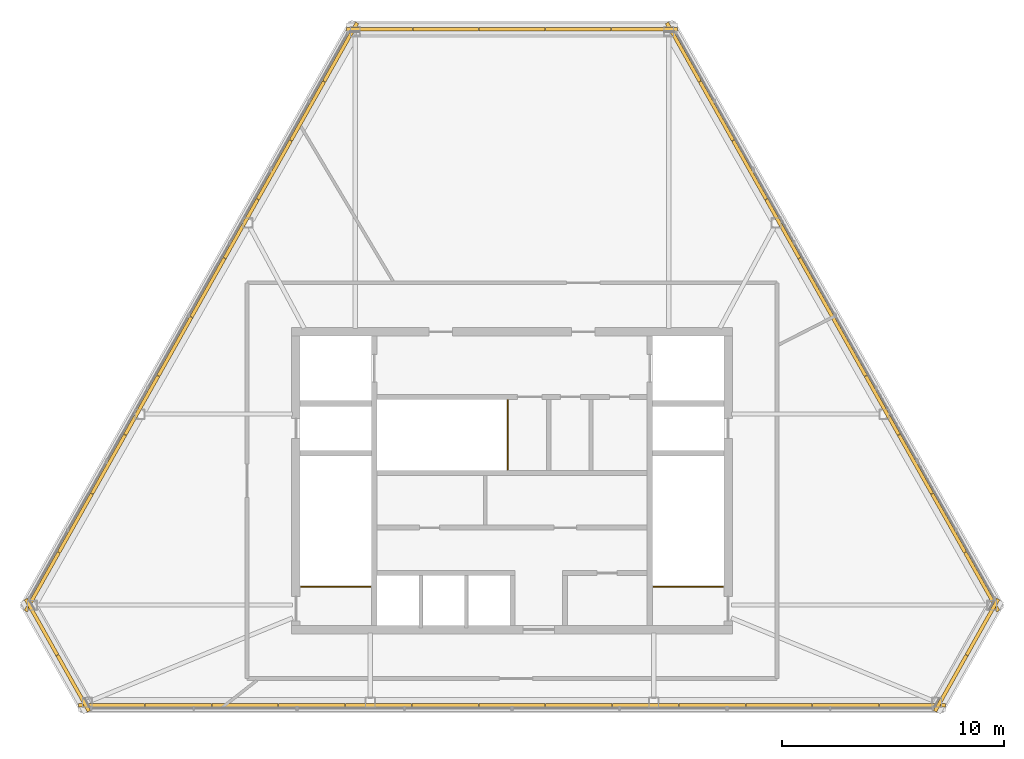
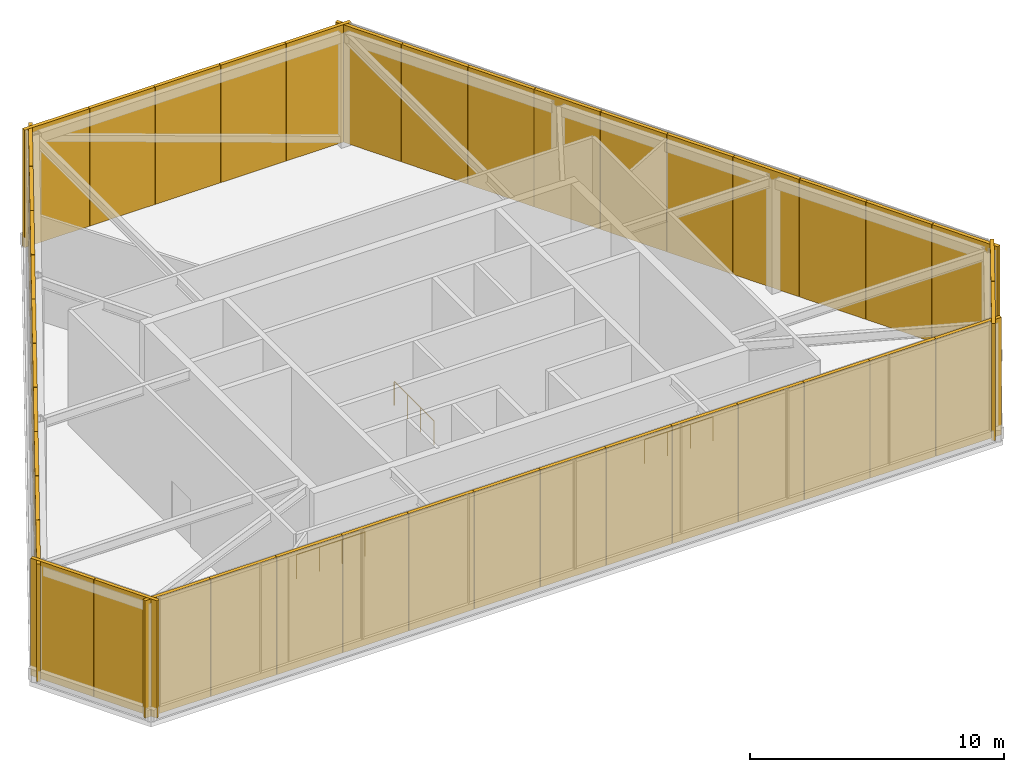
# One storey, part 11 of 11: 42 shading devices, 3 railings.
"""IFC4 building model written with IfcOpenShell, lengths in metres."""

from ifc_helpers import new_model, si_unit, direction, frame, origin, origin_2d, place, context, subcontext, project, spatial, rectangle, circle, extrude, material, layer, layer_set, type_object, element, save


model = new_model("IFC4")

# Units and contexts
model_context = context("Model", 3, precision=1e-05, world=origin(), true_north=direction((0.0, 1.0)))
body_context = subcontext(model_context, "Body", "Model", "MODEL_VIEW")
ifc_project = project(units=[si_unit("LENGTHUNIT", "METRE"), si_unit("AREAUNIT", "SQUARE_METRE"), si_unit("VOLUMEUNIT", "CUBIC_METRE"), si_unit("PLANEANGLEUNIT", "RADIAN"), si_unit("MASSUNIT", "GRAM", prefix="KILO")], contexts=[model_context])

# Site, building, storey
site_placement = place(None, origin())
site = spatial("IfcSite", under=ifc_project, at=site_placement, CompositionType="ELEMENT")
building_placement = place(site_placement, origin())
building = spatial("IfcBuilding", under=site, at=building_placement, Name="Kavelnor Concourse Tower", CompositionType="ELEMENT")
storey_placement = place(building_placement, frame((0.0, 0.0, 309.949951171875)))
storey = spatial("IfcBuildingStorey", under=building, at=storey_placement, Name="L78", CompositionType="ELEMENT", Elevation=309.949951171875)

# Railings
ifc_material_1 = material(Name="Steel Grade 350", Category="steel")
railing_type = type_object("IfcRailingType", Name="RLG-GUARD-1100", PredefinedType="GUARDRAIL", material=ifc_material_1)
for number, where, name in (
    (1, (28.52001953125, 11.330078125, 0.0), "L78 Stair ST1 Top Well Guardrail"),
    (2, (44.360107421875, 11.330078125, 0.0), "L78 Stair ST2 Top Well Guardrail"),
):
    element("IfcRailing", number, at=place(storey_placement, frame(where)), inside=storey, type_object=railing_type, Name=name, PredefinedType="GUARDRAIL", context=body_context, shape_type="SweptSolid", body=[
        extrude(circle(Radius=0.02392578125, at=origin_2d()), frame((0.0, 0.0, 1.15576171875), z_axis=(1.0, 0.0, 0.0), x_axis=(0.0, 1.0, 0.0)), (0.0, 0.0, 1.0), 3.119873046875),
        extrude(circle(Radius=0.02099609375, at=origin_2d()), origin(), (0.0, 0.0, 1.0), 1.1318359375),
        extrude(circle(Radius=0.02099609375, at=origin_2d()), frame((1.0400390625, 0.0, 0.0)), (0.0, 0.0, 1.0), 1.1318359375),
        extrude(circle(Radius=0.02099609375, at=origin_2d()), frame((2.079833984375, 0.0, 0.0)), (0.0, 0.0, 1.0), 1.1318359375),
        extrude(circle(Radius=0.02099609375, at=origin_2d()), frame((3.119873046875, 0.0, 0.0)), (0.0, 0.0, 1.0), 1.1318359375),
    ])
railing_placement = place(storey_placement, frame((37.81005859375, 16.60009765625, 0.0)))
element("IfcRailing", 3, at=railing_placement, inside=storey, type_object=railing_type, Name="L78 Stair ST3 Top Well Guardrail", PredefinedType="GUARDRAIL", context=body_context, shape_type="SweptSolid", body=[
    extrude(circle(Radius=0.02392578125, at=origin_2d()), frame((0.0, 0.0, 1.15576171875), z_axis=(0.0, 1.0, 0.0), x_axis=(-1.0, 0.0, 0.0)), (0.0, 0.0, 1.0), 3.119873046875),
    extrude(circle(Radius=0.02099609375, at=origin_2d()), origin(), (0.0, 0.0, 1.0), 1.1318359375),
    extrude(circle(Radius=0.02099609375, at=origin_2d()), frame((0.0, 1.0400390625, 0.0)), (0.0, 0.0, 1.0), 1.1318359375),
    extrude(circle(Radius=0.02099609375, at=origin_2d()), frame((0.0, 2.079833984375, 0.0)), (0.0, 0.0, 1.0), 1.1318359375),
    extrude(circle(Radius=0.02099609375, at=origin_2d()), frame((0.0, 3.119873046875, 0.0)), (0.0, 0.0, 1.0), 1.1318359375),
])

# Shading devices
ifc_material_2 = material(Name="Architectural bronze-anodised aluminium", Category="aluminium")
ifc_layer = layer(ifc_material_2, 0.080078125, Name="Architectural bronze-anodised aluminium")
ifc_layer_set = layer_set([ifc_layer], Name="Architectural bronze-anodised aluminium")
shading_device_type = type_object("IfcShadingDeviceType", Name="SHD-CROWN-LOUVRE", PredefinedType="USERDEFINED", material=ifc_layer_set)
for number, where, z_axis, x_axis, name in (
    (4, (43.959716796875, 36.39599609375, 0.06005859375), (0.0, 0.0, 1.0), (-1.0, 0.0, 0.0), "L78 Screened Crown Acoustic Louvre Panel E0-P1"),
    (5, (40.979736328125, 36.39599609375, 0.06005859375), (0.0, 0.0, 1.0), (-1.0, 0.0, 0.0), "L78 Screened Crown Acoustic Louvre Panel E0-P2"),
    (6, (38.0, 36.39599609375, 0.06005859375), (0.0, 0.0, 1.0), (-1.0, 0.0, 0.0), "L78 Screened Crown Acoustic Louvre Panel E0-P3"),
    (7, (35.020263671875, 36.39599609375, 0.06005859375), (0.0, 0.0, 1.0), (-1.0, 0.0, 0.0), "L78 Screened Crown Acoustic Louvre Panel E0-P4"),
    (8, (32.040283203125, 36.39599609375, 0.06005859375), (0.0, 0.0, 1.0), (-1.0, 0.0, 0.0), "L78 Screened Crown Acoustic Louvre Panel E0-P5"),
):
    element("IfcShadingDevice", number, at=place(storey_placement, frame(where, z_axis=z_axis, x_axis=x_axis)), inside=storey, type_object=shading_device_type, Name=name, ObjectType="LOUVRE", PredefinedType="USERDEFINED", context=body_context, shape_type="SweptSolid", body=[
        extrude(rectangle(XDim=2.959716796875, YDim=0.159912109375, at=origin_2d()), origin(), (0.0, 0.0, 1.0), 5.64990234375),
    ])
for number, where, z_axis, x_axis, name in (
    (9, (30.2978515625, 35.361083984375, 0.06005859375), (0.0, 0.0, 1.0), (-0.490751690644, -0.871299476719, 0.0), "L78 Screened Crown Acoustic Louvre Panel E1-P1"),
    (10, (28.807861328125, 32.71533203125, 0.06005859375), (0.0, 0.0, 1.0), (-0.490751690644, -0.871299476719, 0.0), "L78 Screened Crown Acoustic Louvre Panel E1-P2"),
    (11, (27.317626953125, 30.069580078125, 0.06005859375), (0.0, 0.0, 1.0), (-0.490751690644, -0.871299476719, 0.0), "L78 Screened Crown Acoustic Louvre Panel E1-P3"),
    (12, (25.827392578125, 27.423828125, 0.06005859375), (0.0, 0.0, 1.0), (-0.490751690644, -0.871299476719, 0.0), "L78 Screened Crown Acoustic Louvre Panel E1-P4"),
    (13, (24.33740234375, 24.778076171875, 0.06005859375), (0.0, 0.0, 1.0), (-0.490751690644, -0.871299476719, 0.0), "L78 Screened Crown Acoustic Louvre Panel E1-P5"),
    (14, (22.84716796875, 22.13232421875, 0.06005859375), (0.0, 0.0, 1.0), (-0.490751690644, -0.871299476719, 0.0), "L78 Screened Crown Acoustic Louvre Panel E1-P6"),
    (15, (21.357177734375, 19.486572265625, 0.06005859375), (0.0, 0.0, 1.0), (-0.490751690644, -0.871299476719, 0.0), "L78 Screened Crown Acoustic Louvre Panel E1-P7"),
    (16, (19.866943359375, 16.8408203125, 0.06005859375), (0.0, 0.0, 1.0), (-0.490751690644, -0.871299476719, 0.0), "L78 Screened Crown Acoustic Louvre Panel E1-P8"),
    (17, (18.376708984375, 14.195068359375, 0.06005859375), (0.0, 0.0, 1.0), (-0.490751690644, -0.871299476719, 0.0), "L78 Screened Crown Acoustic Louvre Panel E1-P9"),
    (18, (16.88671875, 11.54931640625, 0.06005859375), (0.0, 0.0, 1.0), (-0.490751690644, -0.871299476719, 0.0), "L78 Screened Crown Acoustic Louvre Panel E1-P10"),
):
    element("IfcShadingDevice", number, at=place(storey_placement, frame(where, z_axis=z_axis, x_axis=x_axis)), inside=storey, type_object=shading_device_type, Name=name, ObjectType="LOUVRE", PredefinedType="USERDEFINED", context=body_context, shape_type="SweptSolid", body=[
        extrude(rectangle(XDim=3.0166015625, YDim=0.159912109375, at=origin_2d()), origin(), (0.0, 0.0, 1.0), 5.64990234375),
    ])
for number, where, z_axis, x_axis, name in (
    (19, (16.854248046875, 9.5234375, 0.06005859375), (0.0, 0.0, 1.0), (0.490751690644, -0.871299476719, 0.0), "L78 Screened Crown Acoustic Louvre Panel E2-P1"),
    (20, (18.27978515625, 6.992431640625, 0.06005859375), (0.0, 0.0, 1.0), (0.490751690644, -0.871299476719, 0.0), "L78 Screened Crown Acoustic Louvre Panel E2-P2"),
):
    element("IfcShadingDevice", number, at=place(storey_placement, frame(where, z_axis=z_axis, x_axis=x_axis)), inside=storey, type_object=shading_device_type, Name=name, ObjectType="LOUVRE", PredefinedType="USERDEFINED", context=body_context, shape_type="SweptSolid", body=[
        extrude(rectangle(XDim=2.884765625, YDim=0.159912109375, at=origin_2d()), origin(), (0.0, 0.0, 1.0), 5.64990234375),
    ])
for number, where, z_axis, x_axis, name in (
    (21, (20.0, 6.014892578125, 0.06005859375), (0.0, 0.0, 1.0), (1.0, 0.0, 0.0), "L78 Screened Crown Acoustic Louvre Panel E3-P1"),
    (22, (23.0, 6.014892578125, 0.06005859375), (0.0, 0.0, 1.0), (1.0, 0.0, 0.0), "L78 Screened Crown Acoustic Louvre Panel E3-P2"),
    (23, (26.0, 6.014892578125, 0.06005859375), (0.0, 0.0, 1.0), (1.0, 0.0, 0.0), "L78 Screened Crown Acoustic Louvre Panel E3-P3"),
    (24, (29.0, 6.014892578125, 0.06005859375), (0.0, 0.0, 1.0), (1.0, 0.0, 0.0), "L78 Screened Crown Acoustic Louvre Panel E3-P4"),
    (25, (32.0, 6.014892578125, 0.06005859375), (0.0, 0.0, 1.0), (1.0, 0.0, 0.0), "L78 Screened Crown Acoustic Louvre Panel E3-P5"),
    (26, (35.0, 6.014892578125, 0.06005859375), (0.0, 0.0, 1.0), (1.0, 0.0, 0.0), "L78 Screened Crown Acoustic Louvre Panel E3-P6"),
    (27, (38.0, 6.014892578125, 0.06005859375), (0.0, 0.0, 1.0), (1.0, 0.0, 0.0), "L78 Screened Crown Acoustic Louvre Panel E3-P7"),
    (28, (41.0, 6.014892578125, 0.06005859375), (0.0, 0.0, 1.0), (1.0, 0.0, 0.0), "L78 Screened Crown Acoustic Louvre Panel E3-P8"),
    (29, (44.0, 6.014892578125, 0.06005859375), (0.0, 0.0, 1.0), (1.0, 0.0, 0.0), "L78 Screened Crown Acoustic Louvre Panel E3-P9"),
    (30, (47.0, 6.014892578125, 0.06005859375), (0.0, 0.0, 1.0), (1.0, 0.0, 0.0), "L78 Screened Crown Acoustic Louvre Panel E3-P10"),
    (31, (50.0, 6.014892578125, 0.06005859375), (0.0, 0.0, 1.0), (1.0, 0.0, 0.0), "L78 Screened Crown Acoustic Louvre Panel E3-P11"),
    (32, (53.0, 6.014892578125, 0.06005859375), (0.0, 0.0, 1.0), (1.0, 0.0, 0.0), "L78 Screened Crown Acoustic Louvre Panel E3-P12"),
    (33, (56.0, 6.014892578125, 0.06005859375), (0.0, 0.0, 1.0), (1.0, 0.0, 0.0), "L78 Screened Crown Acoustic Louvre Panel E3-P13"),
):
    element("IfcShadingDevice", number, at=place(storey_placement, frame(where, z_axis=z_axis, x_axis=x_axis)), inside=storey, type_object=shading_device_type, Name=name, ObjectType="LOUVRE", PredefinedType="USERDEFINED", context=body_context, shape_type="SweptSolid", body=[
        extrude(rectangle(XDim=2.97998046875, YDim=0.159912109375, at=origin_2d()), origin(), (0.0, 0.0, 1.0), 5.64990234375),
    ])
for number, where, z_axis, x_axis, name in (
    (34, (57.72021484375, 6.992431640625, 0.06005859375), (0.0, 0.0, 1.0), (0.490751690644, 0.871299476719, 0.0), "L78 Screened Crown Acoustic Louvre Panel E4-P1"),
    (35, (59.145751953125, 9.5234375, 0.06005859375), (0.0, 0.0, 1.0), (0.490751690644, 0.871299476719, 0.0), "L78 Screened Crown Acoustic Louvre Panel E4-P2"),
):
    element("IfcShadingDevice", number, at=place(storey_placement, frame(where, z_axis=z_axis, x_axis=x_axis)), inside=storey, type_object=shading_device_type, Name=name, ObjectType="LOUVRE", PredefinedType="USERDEFINED", context=body_context, shape_type="SweptSolid", body=[
        extrude(rectangle(XDim=2.884765625, YDim=0.159912109375, at=origin_2d()), origin(), (0.0, 0.0, 1.0), 5.64990234375),
    ])
for number, where, z_axis, x_axis, name in (
    (36, (59.11328125, 11.54931640625, 0.06005859375), (0.0, 0.0, 1.0), (-0.490751690644, 0.871299476719, 0.0), "L78 Screened Crown Acoustic Louvre Panel E5-P1"),
    (37, (57.623291015625, 14.195068359375, 0.06005859375), (0.0, 0.0, 1.0), (-0.490751690644, 0.871299476719, 0.0), "L78 Screened Crown Acoustic Louvre Panel E5-P2"),
    (38, (56.133056640625, 16.8408203125, 0.06005859375), (0.0, 0.0, 1.0), (-0.490751690644, 0.871299476719, 0.0), "L78 Screened Crown Acoustic Louvre Panel E5-P3"),
    (39, (54.642822265625, 19.486572265625, 0.06005859375), (0.0, 0.0, 1.0), (-0.490751690644, 0.871299476719, 0.0), "L78 Screened Crown Acoustic Louvre Panel E5-P4"),
    (40, (53.15283203125, 22.13232421875, 0.06005859375), (0.0, 0.0, 1.0), (-0.490751690644, 0.871299476719, 0.0), "L78 Screened Crown Acoustic Louvre Panel E5-P5"),
    (41, (51.66259765625, 24.778076171875, 0.06005859375), (0.0, 0.0, 1.0), (-0.490751690644, 0.871299476719, 0.0), "L78 Screened Crown Acoustic Louvre Panel E5-P6"),
    (42, (50.172607421875, 27.423828125, 0.06005859375), (0.0, 0.0, 1.0), (-0.490751690644, 0.871299476719, 0.0), "L78 Screened Crown Acoustic Louvre Panel E5-P7"),
    (43, (48.682373046875, 30.069580078125, 0.06005859375), (0.0, 0.0, 1.0), (-0.490751690644, 0.871299476719, 0.0), "L78 Screened Crown Acoustic Louvre Panel E5-P8"),
    (44, (47.192138671875, 32.71533203125, 0.06005859375), (0.0, 0.0, 1.0), (-0.490751690644, 0.871299476719, 0.0), "L78 Screened Crown Acoustic Louvre Panel E5-P9"),
    (45, (45.7021484375, 35.361083984375, 0.06005859375), (0.0, 0.0, 1.0), (-0.490751690644, 0.871299476719, 0.0), "L78 Screened Crown Acoustic Louvre Panel E5-P10"),
):
    element("IfcShadingDevice", number, at=place(storey_placement, frame(where, z_axis=z_axis, x_axis=x_axis)), inside=storey, type_object=shading_device_type, Name=name, ObjectType="LOUVRE", PredefinedType="USERDEFINED", context=body_context, shape_type="SweptSolid", body=[
        extrude(rectangle(XDim=3.0166015625, YDim=0.159912109375, at=origin_2d()), origin(), (0.0, 0.0, 1.0), 5.64990234375),
    ])

save(model, "model.ifc")
